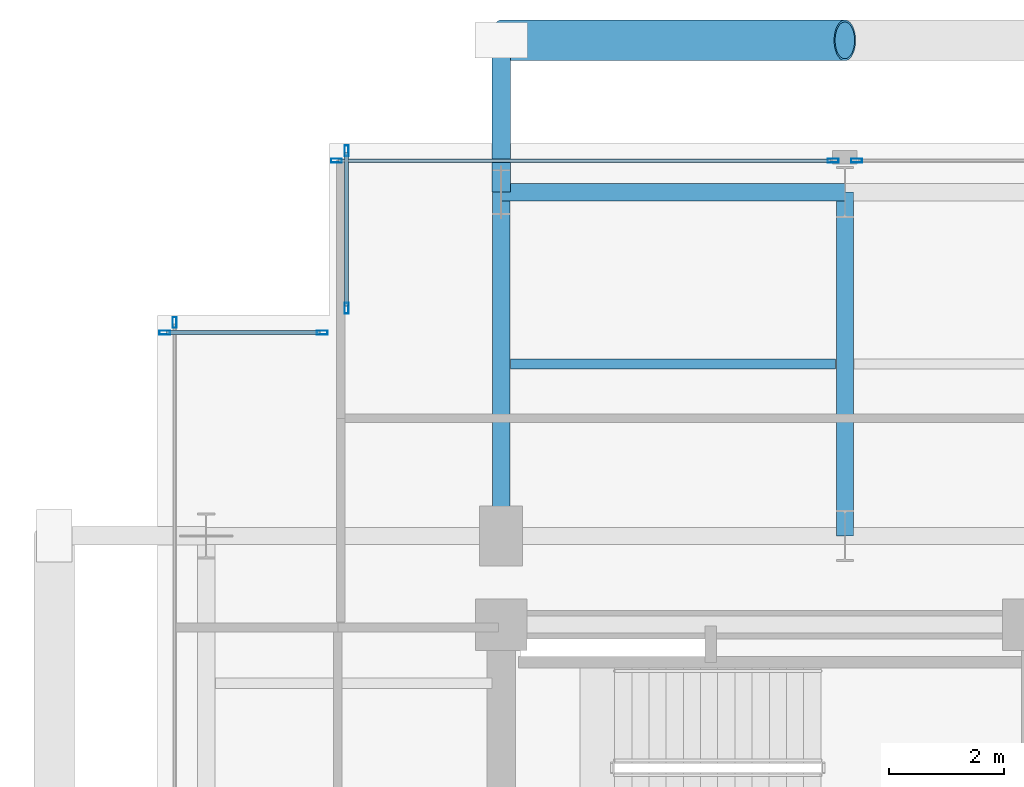
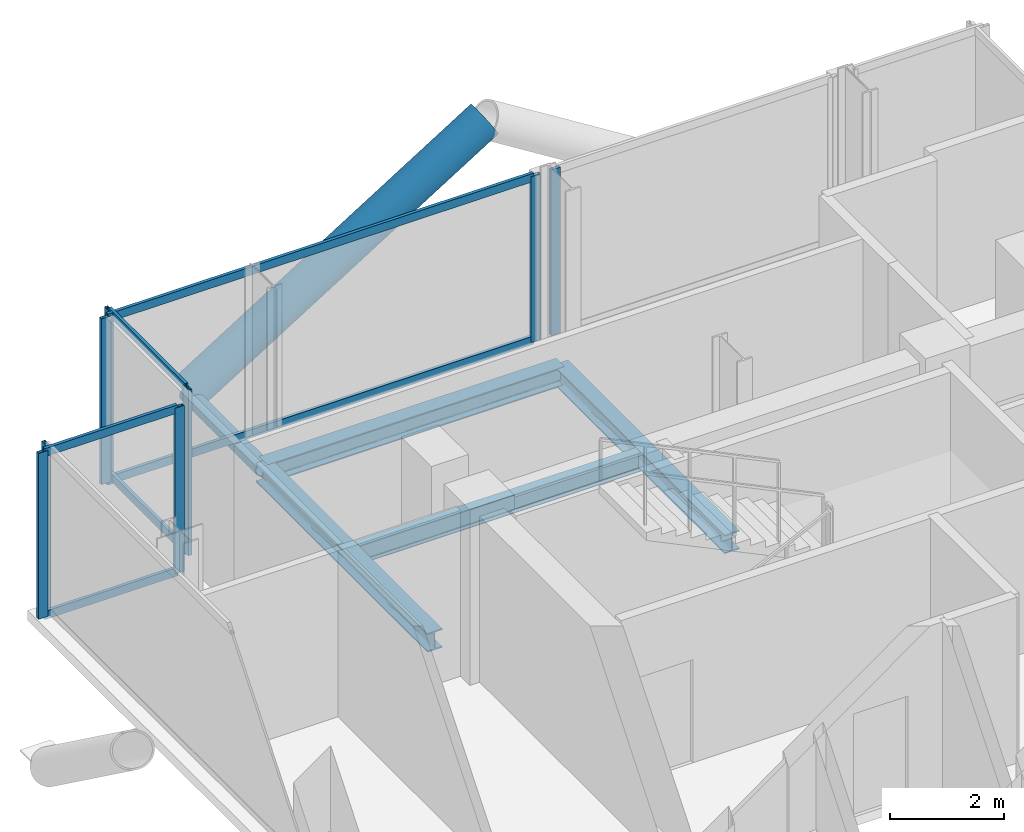
# One storey, part 13 of 21: 16 members, 4 beams, 5 elements without a shape of their own.
"""IFC4 building model written with IfcOpenShell, lengths in metres."""

from ifc_helpers import new_model, si_unit, direction, frame, origin, origin_2d, place, context, subcontext, project, spatial, hollow_rectangle, hollow_circle, i_section, extrude, material, layer, layer_set, material_profile, profile_set, type_object, element, aggregate, save


model = new_model("IFC4")

# Units and contexts
model_context = context("Model", 3, precision=1e-05, world=origin(), true_north=direction((0.0, 1.0)))
body_context = subcontext(model_context, "Body", "Model", "MODEL_VIEW")
ifc_project = project(units=[si_unit("LENGTHUNIT", "METRE"), si_unit("AREAUNIT", "SQUARE_METRE"), si_unit("VOLUMEUNIT", "CUBIC_METRE"), si_unit("PLANEANGLEUNIT", "RADIAN"), si_unit("MASSUNIT", "GRAM", prefix="KILO"), si_unit("THERMODYNAMICTEMPERATUREUNIT", "KELVIN"), si_unit("POWERUNIT", "WATT")], contexts=[model_context])

# Site, building, storey
site_placement = place(None, origin())
site = spatial("IfcSite", under=ifc_project, at=site_placement, CompositionType="ELEMENT")
building_placement = place(site_placement, origin())
building = spatial("IfcBuilding", under=site, at=building_placement, Name="Svarakhadi Broadcast Tower", CompositionType="ELEMENT")
storey_placement = place(building_placement, frame((0.0, 0.0, 219.89990234375)))
storey = spatial("IfcBuildingStorey", under=building, at=storey_placement, Name="L54", CompositionType="ELEMENT", Elevation=219.89990234375)

# Beam
ifc_material_1 = material(Name="Steel S355J2 (IS 2062 E350C)", Category="steel")
ifc_material_profile_1 = material_profile(ifc_material_1, i_section(OverallWidth=0.179931640625, OverallDepth=0.39990234375, WebThickness=0.008544921875, FlangeThickness=0.013427734375, FilletRadius=0.02099609375, at=origin_2d()), Name="NPB 400x180x66")
ifc_profile_set_1 = profile_set([ifc_material_profile_1], Name="Steel S355J2 (IS 2062 E350C)")
beam_type_1 = type_object("IfcBeamType", Name="Beam_NPB400", PredefinedType="BEAM", material=ifc_profile_set_1)
beam_placement = place(storey_placement, frame((6.159912109375, 32.14990234375, -0.409912109375), z_axis=(1.0, 0.0, 0.0), x_axis=(0.0, 1.0, 0.0)))
element("IfcBeam", 1, at=beam_placement, inside=storey, type_object=beam_type_1, Name="L54 Secondary Composite Beam SB008", PredefinedType="BEAM", context=body_context, shape_type="SweptSolid", body=[
    extrude(i_section(OverallWidth=0.179931640625, OverallDepth=0.39990234375, WebThickness=0.008544921875, FlangeThickness=0.013427734375, FilletRadius=0.02099609375, at=origin_2d()), origin(), (0.0, 0.0, 1.0), 5.68017578125),
])

# Curtain wall, member
ifc_material_2 = material(Name="Anodised Bronze Aluminium AA 6063-T6", Category="aluminium")
ifc_layer = layer(ifc_material_2, 0.18994140625)
ifc_layer_set = layer_set([ifc_layer], Name="Anodised Bronze Aluminium AA 6063-T6")
curtain_wall_type = type_object("IfcCurtainWallType", Name="CW_Sys_04", PredefinedType="NOTDEFINED", material=ifc_layer_set)
curtain_wall_1_placement = place(storey_placement, origin())
curtain_wall_1 = element("IfcCurtainWall", 2, at=curtain_wall_1_placement, inside=storey, type_object=curtain_wall_type, Name="L54 West Curtain Wall 03", PredefinedType="NOTDEFINED")
ifc_material_profile_2 = material_profile(ifc_material_2, hollow_rectangle(XDim=0.070068359375, YDim=0.18994140625, WallThickness=0.005615234375, at=origin_2d()), Name="ALU MULLION 190x70x6")
ifc_profile_set_2 = profile_set([ifc_material_profile_2], Name="Anodised Bronze Aluminium AA 6063-T6")
member_type_1 = type_object("IfcMemberType", Name="CW_Sys_04_Mul", PredefinedType="MULLION", material=ifc_profile_set_2)
member_1_placement = place(storey_placement, frame((0.300048828125, 32.875, 0.0), z_axis=(0.0, 0.0, 1.0), x_axis=(-1.0, 0.0, 0.0)))
member_1 = element("IfcMember", 3, at=member_1_placement, type_object=member_type_1, Name="CW-04 mullion 2", PredefinedType="MULLION", context=body_context, shape_type="SweptSolid", body=[
    extrude(hollow_rectangle(XDim=0.070068359375, YDim=0.18994140625, WallThickness=0.005615234375, at=origin_2d()), origin(), (0.0, 0.0, 1.0), 3.5400390625),
])
aggregate(curtain_wall_1, [member_1])

# Curtain wall, members
curtain_wall_2_placement = place(storey_placement, origin())
curtain_wall_2 = element("IfcCurtainWall", 4, at=curtain_wall_2_placement, inside=storey, type_object=curtain_wall_type, Name="L54 Unitised Facade Curtain Wall 04", PredefinedType="NOTDEFINED")
member_2_placement = place(storey_placement, frame((0.125, 32.699951171875, 0.0), z_axis=(0.0, 0.0, 1.0), x_axis=(0.0, 1.0, 0.0)))
member_2 = element("IfcMember", 5, at=member_2_placement, type_object=member_type_1, Name="CW-04 mullion 1", PredefinedType="MULLION", context=body_context, shape_type="SweptSolid", body=[
    extrude(hollow_rectangle(XDim=0.070068359375, YDim=0.18994140625, WallThickness=0.005615234375, at=origin_2d()), origin(), (0.0, 0.0, 1.0), 3.5400390625),
])
member_3_placement = place(storey_placement, frame((2.875, 32.699951171875, 0.0), z_axis=(0.0, 0.0, 1.0), x_axis=(0.0, 1.0, 0.0)))
member_3 = element("IfcMember", 6, at=member_3_placement, type_object=member_type_1, Name="CW-04 mullion 2", PredefinedType="MULLION", context=body_context, shape_type="SweptSolid", body=[
    extrude(hollow_rectangle(XDim=0.070068359375, YDim=0.18994140625, WallThickness=0.005615234375, at=origin_2d()), origin(), (0.0, 0.0, 1.0), 3.5400390625),
])

curtain_wall_3_placement = place(storey_placement, origin())
curtain_wall_3 = element("IfcCurtainWall", 7, at=curtain_wall_3_placement, inside=storey, type_object=curtain_wall_type, Name="L54 Unitised Facade Curtain Wall 05", PredefinedType="NOTDEFINED")
member_4_placement = place(storey_placement, frame((3.300048828125, 33.125, 0.0), z_axis=(0.0, 0.0, 1.0), x_axis=(-1.0, 0.0, 0.0)))
member_4 = element("IfcMember", 8, at=member_4_placement, type_object=member_type_1, Name="CW-04 mullion 1", PredefinedType="MULLION", context=body_context, shape_type="SweptSolid", body=[
    extrude(hollow_rectangle(XDim=0.070068359375, YDim=0.18994140625, WallThickness=0.005615234375, at=origin_2d()), origin(), (0.0, 0.0, 1.0), 3.5400390625),
])
member_5_placement = place(storey_placement, frame((3.300048828125, 35.875, 0.0), z_axis=(0.0, 0.0, 1.0), x_axis=(-1.0, 0.0, 0.0)))
member_5 = element("IfcMember", 9, at=member_5_placement, type_object=member_type_1, Name="CW-04 mullion 2", PredefinedType="MULLION", context=body_context, shape_type="SweptSolid", body=[
    extrude(hollow_rectangle(XDim=0.070068359375, YDim=0.18994140625, WallThickness=0.005615234375, at=origin_2d()), origin(), (0.0, 0.0, 1.0), 3.5400390625),
])

curtain_wall_4_placement = place(storey_placement, origin())
curtain_wall_4 = element("IfcCurtainWall", 10, at=curtain_wall_4_placement, inside=storey, type_object=curtain_wall_type, Name="L54 Unitised Facade Curtain Wall 06 Bay 1", PredefinedType="NOTDEFINED")
member_6_placement = place(storey_placement, frame((3.125, 35.699951171875, 0.0), z_axis=(0.0, 0.0, 1.0), x_axis=(0.0, 1.0, 0.0)))
member_6 = element("IfcMember", 11, at=member_6_placement, type_object=member_type_1, Name="CW-04 mullion 1", PredefinedType="MULLION", context=body_context, shape_type="SweptSolid", body=[
    extrude(hollow_rectangle(XDim=0.070068359375, YDim=0.18994140625, WallThickness=0.005615234375, at=origin_2d()), origin(), (0.0, 0.0, 1.0), 3.5400390625),
])
member_7_placement = place(storey_placement, frame((11.794921875, 35.699951171875, 0.0), z_axis=(0.0, 0.0, 1.0), x_axis=(0.0, 1.0, 0.0)))
member_7 = element("IfcMember", 12, at=member_7_placement, type_object=member_type_1, Name="CW-04 mullion 2", PredefinedType="MULLION", context=body_context, shape_type="SweptSolid", body=[
    extrude(hollow_rectangle(XDim=0.070068359375, YDim=0.18994140625, WallThickness=0.005615234375, at=origin_2d()), origin(), (0.0, 0.0, 1.0), 3.5400390625),
])

# Curtain wall, member
curtain_wall_5_placement = place(storey_placement, origin())
curtain_wall_5 = element("IfcCurtainWall", 13, at=curtain_wall_5_placement, inside=storey, type_object=curtain_wall_type, Name="L54 Unitised Facade Curtain Wall 06 Bay 2", PredefinedType="NOTDEFINED")
member_8_placement = place(storey_placement, frame((12.205078125, 35.699951171875, 0.0), z_axis=(0.0, 0.0, 1.0), x_axis=(0.0, 1.0, 0.0)))
member_8 = element("IfcMember", 14, at=member_8_placement, type_object=member_type_1, Name="CW-04 mullion 1", PredefinedType="MULLION", context=body_context, shape_type="SweptSolid", body=[
    extrude(hollow_rectangle(XDim=0.070068359375, YDim=0.18994140625, WallThickness=0.005615234375, at=origin_2d()), origin(), (0.0, 0.0, 1.0), 3.5400390625),
])
aggregate(curtain_wall_5, [member_8])

# Member
ifc_material_profile_3 = material_profile(ifc_material_2, hollow_rectangle(XDim=0.06494140625, YDim=0.175048828125, WallThickness=0.0048828125, at=origin_2d()), Name="ALU TRANSOM 175x65x5")
ifc_profile_set_3 = profile_set([ifc_material_profile_3], Name="Anodised Bronze Aluminium AA 6063-T6")
member_type_2 = type_object("IfcMemberType", Name="CW_Sys_04_Trn", PredefinedType="USERDEFINED", material=ifc_profile_set_3)
member_9_placement = place(storey_placement, frame((0.159912109375, 32.699951171875, 0.03271484375), z_axis=(1.0, 0.0, 0.0), x_axis=(0.0, 1.0, 0.0)))
member_9 = element("IfcMember", 15, at=member_9_placement, type_object=member_type_2, Name="CW-04 transom 1.1", ObjectType="TRANSOM", PredefinedType="USERDEFINED", context=body_context, shape_type="SweptSolid", body=[
    extrude(hollow_rectangle(XDim=0.06494140625, YDim=0.175048828125, WallThickness=0.0048828125, at=origin_2d()), origin(), (0.0, 0.0, 1.0), 2.68017578125),
])

member_10_placement = place(storey_placement, frame((0.159912109375, 32.699951171875, 3.507568359375), z_axis=(1.0, 0.0, 0.0), x_axis=(0.0, 1.0, 0.0)))
member_10 = element("IfcMember", 16, at=member_10_placement, type_object=member_type_2, Name="CW-04 transom 1.2", ObjectType="TRANSOM", PredefinedType="USERDEFINED", context=body_context, shape_type="SweptSolid", body=[
    extrude(hollow_rectangle(XDim=0.06494140625, YDim=0.175048828125, WallThickness=0.0048828125, at=origin_2d()), origin(), (0.0, 0.0, 1.0), 2.68017578125),
])

aggregate(curtain_wall_2, [member_2, member_3, member_9, member_10])

member_11_placement = place(storey_placement, frame((3.300048828125, 33.159912109375, 0.03271484375), z_axis=(0.0, 1.0, 0.0), x_axis=(-1.0, 0.0, 0.0)))
member_11 = element("IfcMember", 17, at=member_11_placement, type_object=member_type_2, Name="CW-04 transom 1.1", ObjectType="TRANSOM", PredefinedType="USERDEFINED", context=body_context, shape_type="SweptSolid", body=[
    extrude(hollow_rectangle(XDim=0.06494140625, YDim=0.175048828125, WallThickness=0.0048828125, at=origin_2d()), origin(), (0.0, 0.0, 1.0), 2.68017578125),
])

member_12_placement = place(storey_placement, frame((3.300048828125, 33.159912109375, 3.507568359375), z_axis=(0.0, 1.0, 0.0), x_axis=(-1.0, 0.0, 0.0)))
member_12 = element("IfcMember", 18, at=member_12_placement, type_object=member_type_2, Name="CW-04 transom 1.2", ObjectType="TRANSOM", PredefinedType="USERDEFINED", context=body_context, shape_type="SweptSolid", body=[
    extrude(hollow_rectangle(XDim=0.06494140625, YDim=0.175048828125, WallThickness=0.0048828125, at=origin_2d()), origin(), (0.0, 0.0, 1.0), 2.68017578125),
])

aggregate(curtain_wall_3, [member_4, member_5, member_11, member_12])

member_13_placement = place(storey_placement, frame((3.159912109375, 35.699951171875, 0.03271484375), z_axis=(1.0, 0.0, 0.0), x_axis=(0.0, 1.0, 0.0)))
member_13 = element("IfcMember", 19, at=member_13_placement, type_object=member_type_2, Name="CW-04 transom 1.1", ObjectType="TRANSOM", PredefinedType="USERDEFINED", context=body_context, shape_type="SweptSolid", body=[
    extrude(hollow_rectangle(XDim=0.06494140625, YDim=0.175048828125, WallThickness=0.0048828125, at=origin_2d()), origin(), (0.0, 0.0, 1.0), 8.60009765625),
])

member_14_placement = place(storey_placement, frame((3.159912109375, 35.699951171875, 3.507568359375), z_axis=(1.0, 0.0, 0.0), x_axis=(0.0, 1.0, 0.0)))
member_14 = element("IfcMember", 20, at=member_14_placement, type_object=member_type_2, Name="CW-04 transom 1.2", ObjectType="TRANSOM", PredefinedType="USERDEFINED", context=body_context, shape_type="SweptSolid", body=[
    extrude(hollow_rectangle(XDim=0.06494140625, YDim=0.175048828125, WallThickness=0.0048828125, at=origin_2d()), origin(), (0.0, 0.0, 1.0), 8.60009765625),
])

aggregate(curtain_wall_4, [member_6, member_7, member_13, member_14])

# Members
ifc_material_3 = material(Name="Steel S460ML (IS 2062 E450BR)", Category="steel")
ifc_material_profile_4 = material_profile(ifc_material_3, hollow_circle(Radius=0.35546875, WallThickness=0.034912109375, at=origin_2d()), Name="CHS 711x35")
ifc_profile_set_4 = profile_set([ifc_material_profile_4], Name="Steel S460ML (IS 2062 E450BR)")
member_type_3 = type_object("IfcMemberType", Name="Exo_Brace_CHS711", PredefinedType="BRACE", material=ifc_profile_set_4)
member_15_placement = place(storey_placement, frame((6.0, 37.800048828125, -0.371826171875), z_axis=(0.847998304005, 0.0, 0.529998940003), x_axis=(0.0, 1.0, 0.0)))
element("IfcMember", 21, at=member_15_placement, inside=storey, type_object=member_type_3, Name="L54 Exposed Bronze Exoskeleton Diagonal N06", PredefinedType="BRACE", context=body_context, shape_type="SweptSolid", body=[
    extrude(hollow_circle(Radius=0.35546875, WallThickness=0.034912109375, at=origin_2d()), origin(), (0.0, 0.0, 1.0), 7.075439453125),
])
ifc_material_profile_5 = material_profile(ifc_material_3, hollow_circle(Radius=0.161865234375, WallThickness=0.01611328125, at=origin_2d()), Name="CHS 323.9x16")
ifc_profile_set_5 = profile_set([ifc_material_profile_5], Name="Steel S460ML (IS 2062 E450BR)")
member_type_4 = type_object("IfcMemberType", Name="Exo_Radial_Strut_Z2", PredefinedType="STRUT", material=ifc_profile_set_5)
member_16_placement = place(storey_placement, frame((6.0, 37.800048828125, -0.371826171875), z_axis=(0.0, -1.0, 0.0), x_axis=(1.0, 0.0, 0.0)))
element("IfcMember", 22, at=member_16_placement, inside=storey, type_object=member_type_4, Name="L54 Exoskeleton Radial Tie Strut N09", PredefinedType="STRUT", context=body_context, shape_type="SweptSolid", body=[
    extrude(hollow_circle(Radius=0.161865234375, WallThickness=0.01611328125, at=origin_2d()), origin(), (0.0, 0.0, 1.0), 2.650146484375),
])

# Beams
ifc_material_profile_6 = material_profile(ifc_material_1, i_section(OverallWidth=0.300048828125, OverallDepth=0.39990234375, WebThickness=0.013427734375, FlangeThickness=0.02392578125, FilletRadius=0.027099609375, at=origin_2d()), Name="WPB 400x300x155")
ifc_profile_set_6 = profile_set([ifc_material_profile_6], Name="Steel S355J2 (IS 2062 E350C)")
beam_type_2 = type_object("IfcBeamType", Name="Girder_WPB400", PredefinedType="USERDEFINED", material=ifc_profile_set_6)
for number, where, z_axis, x_axis, name in (
    (23, (6.0, 35.14990234375, -0.409912109375), (1.0, 0.0, 0.0), (0.0, 1.0, 0.0), "L54 Primary E-W Girder G031"),
    (24, (6.0, 29.14990234375, -0.409912109375), (0.0, 1.0, 0.0), (-1.0, 0.0, 0.0), "L54 Primary N-S Girder G041"),
    (25, (12.0, 29.14990234375, -0.409912109375), (0.0, 1.0, 0.0), (-1.0, 0.0, 0.0), "L54 Primary N-S Girder G045"),
):
    element("IfcBeam", number, at=place(storey_placement, frame(where, z_axis=z_axis, x_axis=x_axis)), inside=storey, type_object=beam_type_2, Name=name, ObjectType="GIRDER", PredefinedType="USERDEFINED", context=body_context, shape_type="SweptSolid", body=[
        extrude(i_section(OverallWidth=0.300048828125, OverallDepth=0.39990234375, WebThickness=0.013427734375, FlangeThickness=0.02392578125, FilletRadius=0.027099609375, at=origin_2d()), origin(), (0.0, 0.0, 1.0), 6.0),
    ])

save(model, "model.ifc")
